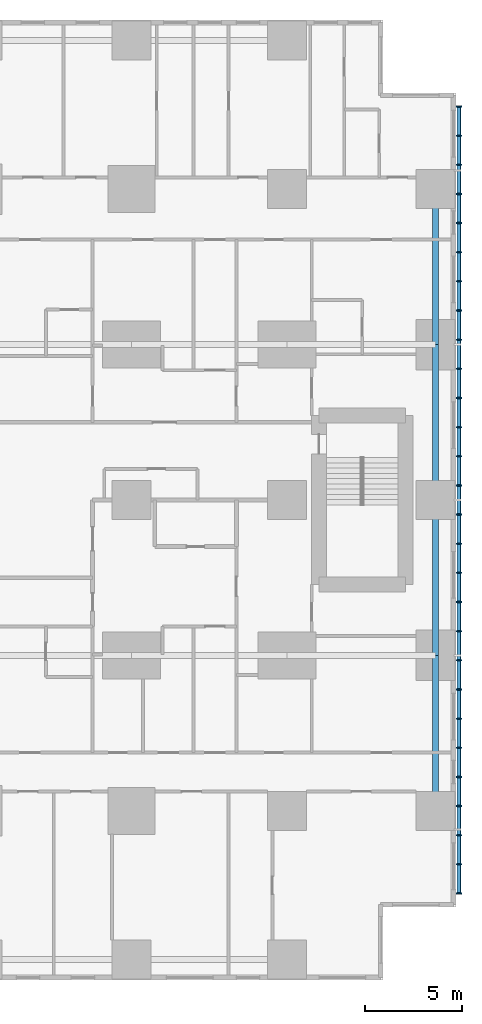
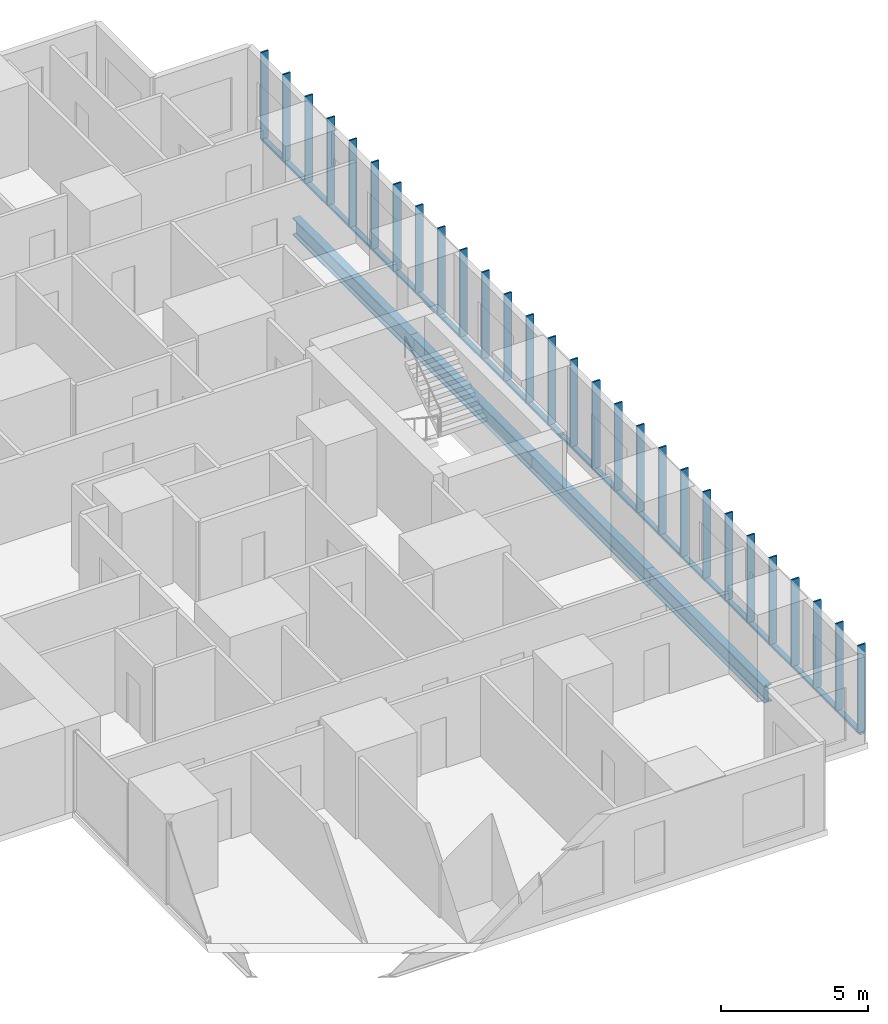
# One storey, part 6 of 20: 32 members, 4 beams.
"""IFC4 building model written with IfcOpenShell, lengths in metres."""

from ifc_helpers import new_model, si_unit, direction, frame, origin, origin_2d, place, context, subcontext, project, spatial, rectangle, hollow_rectangle, i_section, extrude, material, material_profile, profile_set, type_object, element, save


model = new_model("IFC4")

# Units and contexts
model_context = context("Model", 3, precision=1e-05, world=origin(), true_north=direction((0.0, 1.0)))
body_context = subcontext(model_context, "Body", "Model", "MODEL_VIEW")
ifc_project = project(units=[si_unit("LENGTHUNIT", "METRE"), si_unit("AREAUNIT", "SQUARE_METRE"), si_unit("VOLUMEUNIT", "CUBIC_METRE"), si_unit("PLANEANGLEUNIT", "RADIAN"), si_unit("MASSUNIT", "GRAM", prefix="KILO")], contexts=[model_context])

# Site, building, storey
site_placement = place(None, origin())
site = spatial("IfcSite", under=ifc_project, at=site_placement, CompositionType="ELEMENT")
building_placement = place(site_placement, origin())
building = spatial("IfcBuilding", under=site, at=building_placement, Name="Cleftline Residences", CompositionType="ELEMENT")
storey_placement = place(building_placement, frame((0.0, 0.0, 164.60009765625)))
storey = spatial("IfcBuildingStorey", under=building, at=storey_placement, Name="L43", CompositionType="ELEMENT", Elevation=164.60009765625)

# Members
ifc_material_1 = material(Name="Steel S355, hot-dip galvanised", Category="steel")
ifc_material_profile_1 = material_profile(ifc_material_1, hollow_rectangle(XDim=0.10009765625, YDim=0.199951171875, WallThickness=0.008056640625, InnerFilletRadius=0.008056640625, OuterFilletRadius=0.011962890625, at=origin_2d()))
ifc_profile_set_1 = profile_set([ifc_material_profile_1], Name="Steel S355, hot-dip galvanised")
member_type_1 = type_object("IfcMemberType", Name="BAGUETTE CARRIER RHS 200X100X8", PredefinedType="USERDEFINED", material=ifc_profile_set_1)
member_1_placement = place(storey_placement, frame((66.85009765625, 3.699951171875, -0.050048828125), z_axis=(0.0, 1.0, 0.0), x_axis=(0.0, 0.0, 1.0)))
element("IfcMember", 1, at=member_1_placement, inside=storey, type_object=member_type_1, Name="Baguette carrier", ObjectType="BAGUETTE CARRIER", PredefinedType="USERDEFINED", context=body_context, shape_type="SweptSolid", body=[
    extrude(hollow_rectangle(XDim=0.10009765625, YDim=0.199951171875, WallThickness=0.008056640625, InnerFilletRadius=0.008056640625, OuterFilletRadius=0.011962890625, at=origin_2d()), origin(), (0.0, 0.0, 1.0), 12.300048828125),
])
for number, where, z_axis, x_axis, name in (
    (2, (66.85009765625, 16.0, -0.050048828125), (0.0, 1.0, 0.0), (0.0, 0.0, 1.0), "Baguette carrier"),
    (3, (66.85009765625, 24.0, -0.050048828125), (0.0, 1.0, 0.0), (0.0, 0.0, 1.0), "Baguette carrier"),
):
    element("IfcMember", number, at=place(storey_placement, frame(where, z_axis=z_axis, x_axis=x_axis)), inside=storey, type_object=member_type_1, Name=name, ObjectType="BAGUETTE CARRIER", PredefinedType="USERDEFINED", context=body_context, shape_type="SweptSolid", body=[
        extrude(hollow_rectangle(XDim=0.10009765625, YDim=0.199951171875, WallThickness=0.008056640625, InnerFilletRadius=0.008056640625, OuterFilletRadius=0.011962890625, at=origin_2d()), origin(), (0.0, 0.0, 1.0), 8.0),
    ])
member_2_placement = place(storey_placement, frame((66.85009765625, 32.0, -0.050048828125), z_axis=(0.0, 1.0, 0.0), x_axis=(0.0, 0.0, 1.0)))
element("IfcMember", 4, at=member_2_placement, inside=storey, type_object=member_type_1, Name="Baguette carrier", ObjectType="BAGUETTE CARRIER", PredefinedType="USERDEFINED", context=body_context, shape_type="SweptSolid", body=[
    extrude(hollow_rectangle(XDim=0.10009765625, YDim=0.199951171875, WallThickness=0.008056640625, InnerFilletRadius=0.008056640625, OuterFilletRadius=0.011962890625, at=origin_2d()), origin(), (0.0, 0.0, 1.0), 12.300048828125),
])

# Beams
ifc_material_2 = material(Name="Steel S355", Category="steel")
ifc_material_profile_2 = material_profile(ifc_material_2, i_section(OverallWidth=0.300048828125, OverallDepth=0.699951171875, WebThickness=0.01708984375, FlangeThickness=0.031982421875, FilletRadius=0.027099609375, at=origin_2d()))
ifc_profile_set_2 = profile_set([ifc_material_profile_2], Name="Steel S355")
beam_type = type_object("IfcBeamType", Name="BEAM HEB 700", PredefinedType="BEAM", material=ifc_profile_set_2)
for number, where, z_axis, x_axis, name in (
    (5, (65.64990234375, 8.0, -0.60009765625), (0.0, 1.0, 0.0), (-1.0, 0.0, 0.0), "Edge beam"),
    (6, (65.64990234375, 16.0, -0.60009765625), (0.0, 1.0, 0.0), (-1.0, 0.0, 0.0), "Edge beam"),
    (7, (65.64990234375, 24.0, -0.60009765625), (0.0, 1.0, 0.0), (-1.0, 0.0, 0.0), "Edge beam"),
    (8, (65.64990234375, 32.0, -0.60009765625), (0.0, 1.0, 0.0), (-1.0, 0.0, 0.0), "Edge beam"),
):
    element("IfcBeam", number, at=place(storey_placement, frame(where, z_axis=z_axis, x_axis=x_axis)), inside=storey, type_object=beam_type, Name=name, PredefinedType="BEAM", context=body_context, shape_type="SweptSolid", body=[
        extrude(i_section(OverallWidth=0.300048828125, OverallDepth=0.699951171875, WebThickness=0.01708984375, FlangeThickness=0.031982421875, FilletRadius=0.027099609375, at=origin_2d()), origin(), (0.0, 0.0, 1.0), 8.0),
    ])

# Members
ifc_material_3 = material(Name="Extruded terracotta", Category="masonry")
ifc_material_profile_3 = material_profile(ifc_material_3, rectangle(XDim=0.06005859375, YDim=0.300048828125, at=origin_2d()))
ifc_profile_set_3 = profile_set([ifc_material_profile_3], Name="Extruded terracotta")
member_type_2 = type_object("IfcMemberType", Name="TERRACOTTA BAGUETTE 60X300", PredefinedType="USERDEFINED", material=ifc_profile_set_3)
for number, where, z_axis, x_axis, name in (
    (9, (66.85009765625, 3.75, 0.0), (0.0, 0.0, 1.0), (0.0, 1.0, 0.0), "Terracotta baguette"),
    (10, (66.85009765625, 5.25, 0.0), (0.0, 0.0, 1.0), (0.0, 1.0, 0.0), "Terracotta baguette"),
    (11, (66.85009765625, 6.75, 0.0), (0.0, 0.0, 1.0), (0.0, 1.0, 0.0), "Terracotta baguette"),
    (12, (66.85009765625, 8.25, 0.0), (0.0, 0.0, 1.0), (0.0, 1.0, 0.0), "Terracotta baguette"),
    (13, (66.85009765625, 9.75, 0.0), (0.0, 0.0, 1.0), (0.0, 1.0, 0.0), "Terracotta baguette"),
    (14, (66.85009765625, 11.25, 0.0), (0.0, 0.0, 1.0), (0.0, 1.0, 0.0), "Terracotta baguette"),
    (15, (66.85009765625, 12.75, 0.0), (0.0, 0.0, 1.0), (0.0, 1.0, 0.0), "Terracotta baguette"),
    (16, (66.85009765625, 14.25, 0.0), (0.0, 0.0, 1.0), (0.0, 1.0, 0.0), "Terracotta baguette"),
    (17, (66.85009765625, 15.75, 0.0), (0.0, 0.0, 1.0), (0.0, 1.0, 0.0), "Terracotta baguette"),
    (18, (66.85009765625, 17.25, 0.0), (0.0, 0.0, 1.0), (0.0, 1.0, 0.0), "Terracotta baguette"),
    (19, (66.85009765625, 18.75, 0.0), (0.0, 0.0, 1.0), (0.0, 1.0, 0.0), "Terracotta baguette"),
    (20, (66.85009765625, 20.25, 0.0), (0.0, 0.0, 1.0), (0.0, 1.0, 0.0), "Terracotta baguette"),
    (21, (66.85009765625, 21.75, 0.0), (0.0, 0.0, 1.0), (0.0, 1.0, 0.0), "Terracotta baguette"),
    (22, (66.85009765625, 23.25, 0.0), (0.0, 0.0, 1.0), (0.0, 1.0, 0.0), "Terracotta baguette"),
    (23, (66.85009765625, 24.75, 0.0), (0.0, 0.0, 1.0), (0.0, 1.0, 0.0), "Terracotta baguette"),
    (24, (66.85009765625, 26.25, 0.0), (0.0, 0.0, 1.0), (0.0, 1.0, 0.0), "Terracotta baguette"),
    (25, (66.85009765625, 27.75, 0.0), (0.0, 0.0, 1.0), (0.0, 1.0, 0.0), "Terracotta baguette"),
    (26, (66.85009765625, 29.25, 0.0), (0.0, 0.0, 1.0), (0.0, 1.0, 0.0), "Terracotta baguette"),
    (27, (66.85009765625, 30.75, 0.0), (0.0, 0.0, 1.0), (0.0, 1.0, 0.0), "Terracotta baguette"),
    (28, (66.85009765625, 32.25, 0.0), (0.0, 0.0, 1.0), (0.0, 1.0, 0.0), "Terracotta baguette"),
    (29, (66.85009765625, 33.75, 0.0), (0.0, 0.0, 1.0), (0.0, 1.0, 0.0), "Terracotta baguette"),
    (30, (66.85009765625, 35.25, 0.0), (0.0, 0.0, 1.0), (0.0, 1.0, 0.0), "Terracotta baguette"),
    (31, (66.85009765625, 36.75, 0.0), (0.0, 0.0, 1.0), (0.0, 1.0, 0.0), "Terracotta baguette"),
    (32, (66.85009765625, 38.25, 0.0), (0.0, 0.0, 1.0), (0.0, 1.0, 0.0), "Terracotta baguette"),
    (33, (66.85009765625, 39.75, 0.0), (0.0, 0.0, 1.0), (0.0, 1.0, 0.0), "Terracotta baguette"),
    (34, (66.85009765625, 41.25, 0.0), (0.0, 0.0, 1.0), (0.0, 1.0, 0.0), "Terracotta baguette"),
    (35, (66.85009765625, 42.75, 0.0), (0.0, 0.0, 1.0), (0.0, 1.0, 0.0), "Terracotta baguette"),
    (36, (66.85009765625, 44.25, 0.0), (0.0, 0.0, 1.0), (0.0, 1.0, 0.0), "Terracotta baguette"),
):
    element("IfcMember", number, at=place(storey_placement, frame(where, z_axis=z_axis, x_axis=x_axis)), inside=storey, type_object=member_type_2, Name=name, ObjectType="BAGUETTE", PredefinedType="USERDEFINED", context=body_context, shape_type="SweptSolid", body=[
        extrude(rectangle(XDim=0.06005859375, YDim=0.300048828125, at=origin_2d()), origin(), (0.0, 0.0, 1.0), 3.599853515625),
    ])

save(model, "model.ifc")
